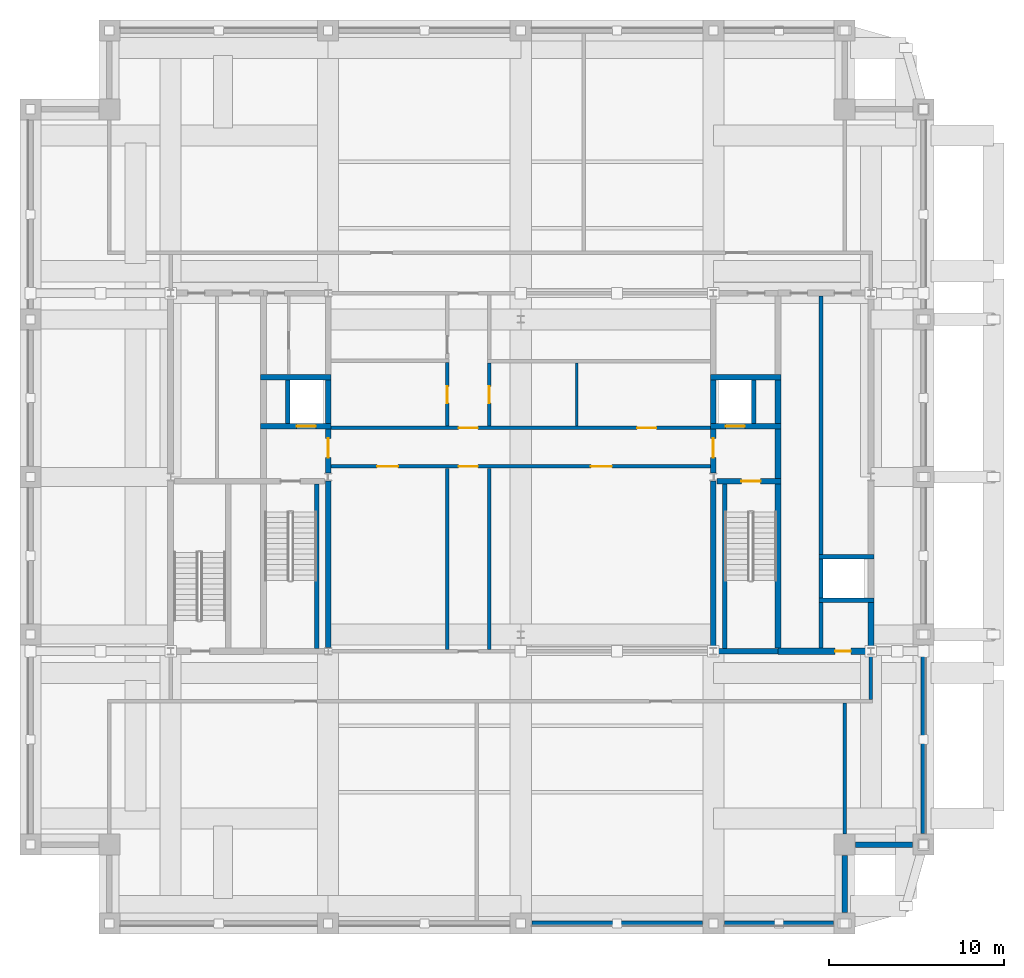
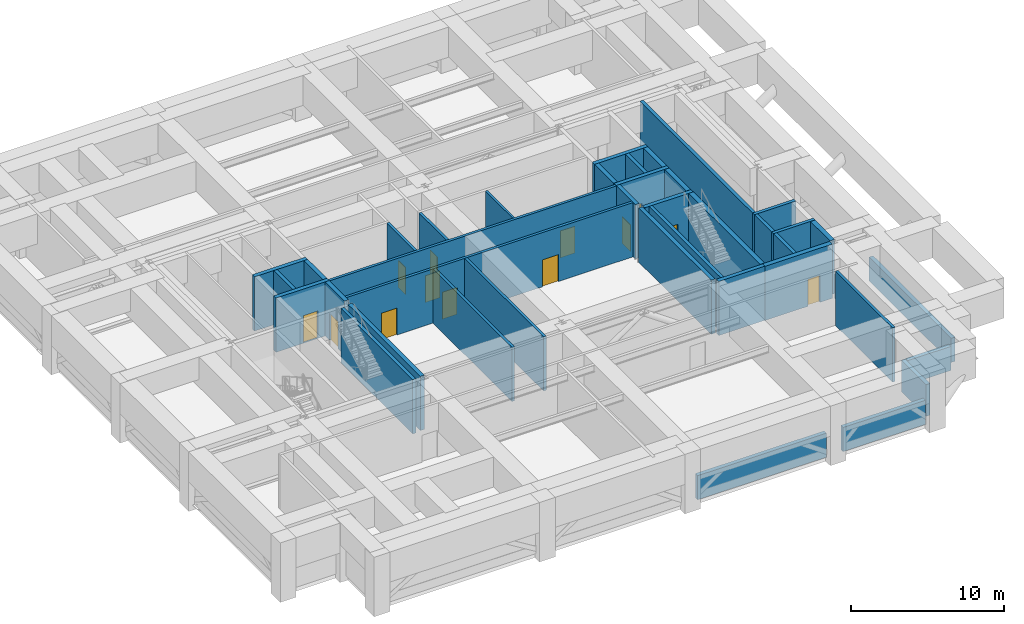
# One storey, part 4 of 10: 40 walls, 13 doors, 13 openings.
"""IFC4 building model written with IfcOpenShell, lengths in metres."""

from ifc_helpers import new_model, si_unit, direction, frame, frame_2d, origin, place, context, subcontext, project, spatial, rectangle, extrude, material, layer, layer_set, type_object, element, fill, save


model = new_model("IFC4")

# Units and contexts
model_context = context("Model", 3, precision=1e-05, world=origin(), true_north=direction((0.0, 1.0)))
body_context = subcontext(model_context, "Body", "Model", "MODEL_VIEW")
ifc_project = project(units=[si_unit("LENGTHUNIT", "METRE"), si_unit("AREAUNIT", "SQUARE_METRE"), si_unit("VOLUMEUNIT", "CUBIC_METRE"), si_unit("PLANEANGLEUNIT", "RADIAN"), si_unit("MASSUNIT", "GRAM", prefix="KILO")], contexts=[model_context])

# Site, building, storey
site_placement = place(None, origin())
site = spatial("IfcSite", under=ifc_project, at=site_placement, CompositionType="ELEMENT")
building_placement = place(site_placement, origin())
building = spatial("IfcBuilding", under=site, at=building_placement, Name="Zulmaris Gate Convention Tower", CompositionType="ELEMENT")
storey_placement = place(building_placement, frame((0.0, 0.0, 153.47998046875)))
storey = spatial("IfcBuildingStorey", under=building, at=storey_placement, Name="L39", CompositionType="ELEMENT", Elevation=153.47998046875)

# Walls
ifc_material_1 = material(Name="Concrete C50/60", Category="concrete")
ifc_layer_1 = layer(ifc_material_1, 0.25, Name="Concrete C50/60")
ifc_layer_set_1 = layer_set([ifc_layer_1], Name="Concrete C50/60")
wall_type_1 = type_object("IfcWallType", Name="CORE-250", PredefinedType="SOLIDWALL", material=ifc_layer_set_1)
for number, where, z_axis, x_axis, name in (
    (1, (17.02490234375, -7.050048828125, 0.0), (0.0, 0.0, 1.0), (1.0, 0.0, 0.0), "WL-L39-005"),
    (2, (17.02490234375, -4.550048828125, 0.0), (0.0, 0.0, 1.0), (1.0, 0.0, 0.0), "WL-L39-006"),
):
    element("IfcWall", number, at=place(storey_placement, frame(where, z_axis=z_axis, x_axis=x_axis)), inside=storey, type_object=wall_type_1, Name=name, PredefinedType="SOLIDWALL", context=body_context, shape_type="SweptSolid", body=[
        extrude(rectangle(XDim=3.150146484375, YDim=0.25, at=frame_2d((1.5751953125, 0.0))), origin(), (0.0, 0.0, 1.0), 4.334716796875),
    ])
wall_1_placement = place(storey_placement, frame((-13.300048828125, 3.052001953125, 0.0), z_axis=(0.0, 0.0, 1.0), x_axis=(0.0, 1.0, 0.0)))
element("IfcWall", 3, at=wall_1_placement, inside=storey, type_object=wall_type_1, Name="WL-L39-032", PredefinedType="SOLIDWALL", context=body_context, shape_type="SweptSolid", body=[
    extrude(rectangle(XDim=2.49609375, YDim=0.25, at=frame_2d((1.248046875, 0.0))), origin(), (0.0, 0.0, 1.0), 4.334716796875),
])
for number, where, z_axis, x_axis, name in (
    (4, (-11.64990234375, -9.798095703125, 0.0), (0.0, 0.0, 1.0), (0.0, 1.0, 0.0), "WL-L39-033"),
    (5, (11.64990234375, -9.798095703125, 0.0), (0.0, 0.0, 1.0), (0.0, 1.0, 0.0), "WL-L39-042"),
):
    element("IfcWall", number, at=place(storey_placement, frame(where, z_axis=z_axis, x_axis=x_axis)), inside=storey, type_object=wall_type_1, Name=name, PredefinedType="SOLIDWALL", context=body_context, shape_type="SweptSolid", body=[
        extrude(rectangle(XDim=9.39599609375, YDim=0.25, at=frame_2d((4.697998046875, 0.0))), origin(), (0.0, 0.0, 1.0), 4.334716796875),
    ])
wall_2_placement = place(storey_placement, frame((13.300048828125, 3.052001953125, 0.0), z_axis=(0.0, 0.0, 1.0), x_axis=(0.0, 1.0, 0.0)))
element("IfcWall", 6, at=wall_2_placement, inside=storey, type_object=wall_type_1, Name="WL-L39-043", PredefinedType="SOLIDWALL", context=body_context, shape_type="SweptSolid", body=[
    extrude(rectangle(XDim=2.49609375, YDim=0.25, at=frame_2d((1.248046875, 0.0))), origin(), (0.0, 0.0, 1.0), 4.334716796875),
])
wall_3_placement = place(storey_placement, frame((17.14990234375, -9.77294921875, 0.0), z_axis=(0.0, 0.0, 1.0), x_axis=(0.0, 1.0, 0.0)))
element("IfcWall", 7, at=wall_3_placement, inside=storey, type_object=wall_type_1, Name="WL-L39-048", PredefinedType="SOLIDWALL", context=body_context, shape_type="SweptSolid", body=[
    extrude(rectangle(XDim=2.595947265625, YDim=0.25, at=frame_2d((1.2978515625, 0.0))), origin(), (0.0, 0.0, 1.0), 4.334716796875),
])
wall_4_placement = place(storey_placement, frame((17.14990234375, -6.923095703125, 0.0), z_axis=(0.0, 0.0, 1.0), x_axis=(0.0, 1.0, 0.0)))
element("IfcWall", 8, at=wall_4_placement, inside=storey, type_object=wall_type_1, Name="WL-L39-049", PredefinedType="SOLIDWALL", context=body_context, shape_type="SweptSolid", body=[
    extrude(rectangle(XDim=2.24609375, YDim=0.25, at=frame_2d((1.123046875, 0.0))), origin(), (0.0, 0.0, 1.0), 4.334716796875),
])
wall_5_placement = place(storey_placement, frame((17.14990234375, -4.423095703125, 0.0), z_axis=(0.0, 0.0, 1.0), x_axis=(0.0, 1.0, 0.0)))
element("IfcWall", 9, at=wall_5_placement, inside=storey, type_object=wall_type_1, Name="WL-L39-050", PredefinedType="SOLIDWALL", context=body_context, shape_type="SweptSolid", body=[
    extrude(rectangle(XDim=14.74609375, YDim=0.25, at=frame_2d((7.373046875, 0.0))), origin(), (0.0, 0.0, 1.0), 4.334716796875),
])
ifc_layer_2 = layer(ifc_material_1, 0.300048828125, Name="Concrete C50/60")
ifc_layer_set_2 = layer_set([ifc_layer_2], Name="Concrete C50/60")
wall_type_2 = type_object("IfcWallType", Name="CORE-300", PredefinedType="SHEAR", material=ifc_layer_set_2)
wall_6_placement = place(storey_placement, frame((11.2099609375, -9.949951171875, 0.0), z_axis=(0.0, 0.0, 1.0), x_axis=(1.0, 0.0, 0.0)))
element("IfcWall", 10, at=wall_6_placement, inside=storey, type_object=wall_type_2, Name="WL-L39-003", PredefinedType="SHEAR", context=body_context, shape_type="SweptSolid", body=[
    extrude(rectangle(XDim=3.489990234375, YDim=0.300048828125, at=frame_2d((1.7451171875, 0.0))), origin(), (0.0, 0.0, 1.0), 4.334716796875),
])

# Wall, opening, door
wall_7_placement = place(storey_placement, frame((11.2099609375, -0.25, 0.0), z_axis=(0.0, 0.0, 1.0), x_axis=(1.0, 0.0, 0.0)))
wall_7 = element("IfcWall", 11, at=wall_7_placement, inside=storey, type_object=wall_type_2, Name="WL-L39-008", PredefinedType="SHEAR", context=body_context, shape_type="SweptSolid", body=[
    extrude(rectangle(XDim=3.6650390625, YDim=0.300048828125, at=frame_2d((1.83251953125, 0.0))), origin(), (0.0, 0.0, 1.0), 4.334716796875),
])
opening_1_placement = place(wall_7_placement, frame((1.389892578125, 0.0, 0.0)))
opening_1 = element("IfcOpeningElement", 12, at=opening_1_placement, cuts=wall_7, Name="Opening D-08", PredefinedType="OPENING", context=body_context, shape_type="SweptSolid", body=[
    extrude(rectangle(XDim=1.10009765625, YDim=2.14990234375, at=frame_2d((0.550048828125, 1.074951171875))), frame((0.0, 0.16015625, 0.0), z_axis=(0.0, -1.0, 0.0), x_axis=(1.0, 0.0, 0.0)), (0.0, 0.0, 1.0), 0.320068359375),
])
ifc_material_2 = material(Name="Fire-Rated Steel", Category="steel")
door_type_1 = type_object("IfcDoorType", Name="DR-1100-FD", OperationType="NOTDEFINED", PredefinedType="DOOR", material=ifc_material_2)
door_1_placement = place(opening_1_placement, origin())
door_1 = element("IfcDoor", 13, at=door_1_placement, inside=storey, type_object=door_type_1, Name="L39 Exit Stair ST-2 Door 04", OperationType="SINGLE_SWING_LEFT", OverallHeight=2.14990234375, OverallWidth=1.10009765625, PredefinedType="DOOR", context=body_context, shape_type="SweptSolid", body=[
    extrude(rectangle(XDim=1.10009765625, YDim=2.14990234375, at=frame_2d((0.550048828125, 1.074951171875))), frame((0.0, 0.02490234375, 0.0), z_axis=(0.0, -1.0, 0.0), x_axis=(1.0, 0.0, 0.0)), (0.0, 0.0, 1.0), 0.050048828125),
])
fill(opening_1, door_1)

wall_8_placement = place(storey_placement, frame((-14.875, 2.89990234375, 0.0), z_axis=(0.0, 0.0, 1.0), x_axis=(1.0, 0.0, 0.0)))
wall_8 = element("IfcWall", 14, at=wall_8_placement, inside=storey, type_object=wall_type_2, Name="WL-L39-009", PredefinedType="SHEAR", context=body_context, shape_type="SweptSolid", body=[
    extrude(rectangle(XDim=4.02490234375, YDim=0.300048828125, at=frame_2d((2.012451171875, 0.0))), origin(), (0.0, 0.0, 1.0), 4.334716796875),
])
opening_2_placement = place(wall_8_placement, frame((2.074951171875, 0.0, 0.0)))
opening_2 = element("IfcOpeningElement", 15, at=opening_2_placement, cuts=wall_8, Name="Opening D-06", PredefinedType="OPENING", context=body_context, shape_type="SweptSolid", body=[
    extrude(rectangle(XDim=1.10009765625, YDim=2.199951171875, at=frame_2d((0.550048828125, 1.10009765625))), frame((0.0, 0.16015625, 0.0), z_axis=(0.0, -1.0, 0.0), x_axis=(1.0, 0.0, 0.0)), (0.0, 0.0, 1.0), 0.320068359375),
])
ifc_material_3 = material(Name="Brushed Stainless Steel", Category="steel")
door_type_2 = type_object("IfcDoorType", Name="LD-1100", OperationType="NOTDEFINED", PredefinedType="DOOR", material=ifc_material_3)
door_2_placement = place(opening_2_placement, origin())
door_2 = element("IfcDoor", 16, at=door_2_placement, inside=storey, type_object=door_type_2, Name="L39 Lift Landing Door LF-01 03", OperationType="SLIDING_TO_LEFT", OverallHeight=2.199951171875, OverallWidth=1.10009765625, PredefinedType="DOOR", context=body_context, shape_type="SweptSolid", body=[
    extrude(rectangle(XDim=1.10009765625, YDim=2.199951171875, at=frame_2d((0.550048828125, 1.10009765625))), frame((0.0, 0.02490234375, 0.0), z_axis=(0.0, -1.0, 0.0), x_axis=(1.0, 0.0, 0.0)), (0.0, 0.0, 1.0), 0.050048828125),
])
fill(opening_2, door_2)

wall_9_placement = place(storey_placement, frame((10.85009765625, 2.89990234375, 0.0), z_axis=(0.0, 0.0, 1.0), x_axis=(1.0, 0.0, 0.0)))
wall_9 = element("IfcWall", 17, at=wall_9_placement, inside=storey, type_object=wall_type_2, Name="WL-L39-010", PredefinedType="SHEAR", context=body_context, shape_type="SweptSolid", body=[
    extrude(rectangle(XDim=4.02490234375, YDim=0.300048828125, at=frame_2d((2.012451171875, 0.0))), origin(), (0.0, 0.0, 1.0), 4.334716796875),
])
opening_3_placement = place(wall_9_placement, frame((0.85009765625, 0.0, 0.0)))
opening_3 = element("IfcOpeningElement", 18, at=opening_3_placement, cuts=wall_9, Name="Opening D-06", PredefinedType="OPENING", context=body_context, shape_type="SweptSolid", body=[
    extrude(rectangle(XDim=1.10009765625, YDim=2.199951171875, at=frame_2d((0.550048828125, 1.10009765625))), frame((0.0, 0.16015625, 0.0), z_axis=(0.0, -1.0, 0.0), x_axis=(1.0, 0.0, 0.0)), (0.0, 0.0, 1.0), 0.320068359375),
])
door_3_placement = place(opening_3_placement, origin())
door_3 = element("IfcDoor", 19, at=door_3_placement, inside=storey, type_object=door_type_2, Name="L39 Lift Landing Door LF-02 06", OperationType="SLIDING_TO_RIGHT", OverallHeight=2.199951171875, OverallWidth=1.10009765625, PredefinedType="DOOR", context=body_context, shape_type="SweptSolid", body=[
    extrude(rectangle(XDim=1.10009765625, YDim=2.199951171875, at=frame_2d((0.550048828125, 1.10009765625))), frame((0.0, 0.02490234375, 0.0), z_axis=(0.0, -1.0, 0.0), x_axis=(1.0, 0.0, 0.0)), (0.0, 0.0, 1.0), 0.050048828125),
])
fill(opening_3, door_3)

# Walls
for number, where, z_axis, x_axis, name in (
    (20, (-14.875, 5.699951171875, 0.0), (0.0, 0.0, 1.0), (1.0, 0.0, 0.0), "WL-L39-011"),
    (21, (10.85009765625, 5.699951171875, 0.0), (0.0, 0.0, 1.0), (1.0, 0.0, 0.0), "WL-L39-012"),
):
    element("IfcWall", number, at=place(storey_placement, frame(where, z_axis=z_axis, x_axis=x_axis)), inside=storey, type_object=wall_type_2, Name=name, PredefinedType="SHEAR", context=body_context, shape_type="SweptSolid", body=[
        extrude(rectangle(XDim=4.02490234375, YDim=0.300048828125, at=frame_2d((2.012451171875, 0.0))), origin(), (0.0, 0.0, 1.0), 4.334716796875),
    ])
wall_10_placement = place(storey_placement, frame((-11.0, -9.728515625, 0.0), z_axis=(0.0, 0.0, 1.0), x_axis=(0.0, 1.0, 0.0)))
element("IfcWall", 22, at=wall_10_placement, inside=storey, type_object=wall_type_2, Name="WL-L39-034", PredefinedType="SHEAR", context=body_context, shape_type="SweptSolid", body=[
    extrude(rectangle(XDim=9.507080078125, YDim=0.300048828125, at=frame_2d((4.75341796875, 0.0))), origin(), (0.0, 0.0, 1.0), 4.334716796875),
])

# Wall, opening, door
wall_11_placement = place(storey_placement, frame((-11.0, 0.221435546875, 0.0), z_axis=(0.0, 0.0, 1.0), x_axis=(0.0, 1.0, 0.0)))
wall_11 = element("IfcWall", 23, at=wall_11_placement, inside=storey, type_object=wall_type_2, Name="WL-L39-035", PredefinedType="SHEAR", context=body_context, shape_type="SweptSolid", body=[
    extrude(rectangle(XDim=2.526611328125, YDim=0.300048828125, at=frame_2d((1.26318359375, 0.0))), origin(), (0.0, 0.0, 1.0), 4.334716796875),
])
opening_4_placement = place(wall_11_placement, frame((0.87841796875, 0.0, 0.0)))
opening_4 = element("IfcOpeningElement", 24, at=opening_4_placement, cuts=wall_11, Name="Opening D-08", PredefinedType="OPENING", context=body_context, shape_type="SweptSolid", body=[
    extrude(rectangle(XDim=1.10009765625, YDim=2.14990234375, at=frame_2d((0.550048828125, 1.074951171875))), frame((0.0, 0.16015625, 0.0), z_axis=(0.0, -1.0, 0.0), x_axis=(1.0, 0.0, 0.0)), (0.0, 0.0, 1.0), 0.320068359375),
])
door_4_placement = place(opening_4_placement, origin())
door_4 = element("IfcDoor", 25, at=door_4_placement, inside=storey, type_object=door_type_1, Name="L39 West Firefighting Lobby Door 02", OperationType="SINGLE_SWING_RIGHT", OverallHeight=2.14990234375, OverallWidth=1.10009765625, PredefinedType="DOOR", context=body_context, shape_type="SweptSolid", body=[
    extrude(rectangle(XDim=1.10009765625, YDim=2.14990234375, at=frame_2d((0.550048828125, 1.074951171875))), frame((0.0, 0.02490234375, 0.0), z_axis=(0.0, -1.0, 0.0), x_axis=(1.0, 0.0, 0.0)), (0.0, 0.0, 1.0), 0.050048828125),
])
fill(opening_4, door_4)

# Walls
wall_12_placement = place(storey_placement, frame((-11.0, 3.052001953125, 0.0), z_axis=(0.0, 0.0, 1.0), x_axis=(0.0, 1.0, 0.0)))
element("IfcWall", 26, at=wall_12_placement, inside=storey, type_object=wall_type_2, Name="WL-L39-036", PredefinedType="SHEAR", context=body_context, shape_type="SweptSolid", body=[
    extrude(rectangle(XDim=2.49609375, YDim=0.300048828125, at=frame_2d((1.248046875, 0.0))), origin(), (0.0, 0.0, 1.0), 4.334716796875),
])
wall_13_placement = place(storey_placement, frame((11.0, -9.728515625, 0.0), z_axis=(0.0, 0.0, 1.0), x_axis=(0.0, 1.0, 0.0)))
element("IfcWall", 27, at=wall_13_placement, inside=storey, type_object=wall_type_2, Name="WL-L39-038", PredefinedType="SHEAR", context=body_context, shape_type="SweptSolid", body=[
    extrude(rectangle(XDim=9.507080078125, YDim=0.300048828125, at=frame_2d((4.75341796875, 0.0))), origin(), (0.0, 0.0, 1.0), 4.334716796875),
])

# Wall, opening, door
wall_14_placement = place(storey_placement, frame((11.0, 0.221435546875, 0.0), z_axis=(0.0, 0.0, 1.0), x_axis=(0.0, 1.0, 0.0)))
wall_14 = element("IfcWall", 28, at=wall_14_placement, inside=storey, type_object=wall_type_2, Name="WL-L39-039", PredefinedType="SHEAR", context=body_context, shape_type="SweptSolid", body=[
    extrude(rectangle(XDim=2.526611328125, YDim=0.300048828125, at=frame_2d((1.26318359375, 0.0))), origin(), (0.0, 0.0, 1.0), 4.334716796875),
])
opening_5_placement = place(wall_14_placement, frame((0.87841796875, 0.0, 0.0)))
opening_5 = element("IfcOpeningElement", 29, at=opening_5_placement, cuts=wall_14, Name="Opening D-08", PredefinedType="OPENING", context=body_context, shape_type="SweptSolid", body=[
    extrude(rectangle(XDim=1.10009765625, YDim=2.14990234375, at=frame_2d((0.550048828125, 1.074951171875))), frame((0.0, 0.16015625, 0.0), z_axis=(0.0, -1.0, 0.0), x_axis=(1.0, 0.0, 0.0)), (0.0, 0.0, 1.0), 0.320068359375),
])
door_5_placement = place(opening_5_placement, origin())
door_5 = element("IfcDoor", 30, at=door_5_placement, inside=storey, type_object=door_type_1, Name="L39 East Firefighting Lobby Door 05", OperationType="SINGLE_SWING_RIGHT", OverallHeight=2.14990234375, OverallWidth=1.10009765625, PredefinedType="DOOR", context=body_context, shape_type="SweptSolid", body=[
    extrude(rectangle(XDim=1.10009765625, YDim=2.14990234375, at=frame_2d((0.550048828125, 1.074951171875))), frame((0.0, 0.02490234375, 0.0), z_axis=(0.0, -1.0, 0.0), x_axis=(1.0, 0.0, 0.0)), (0.0, 0.0, 1.0), 0.050048828125),
])
fill(opening_5, door_5)

# Wall
wall_15_placement = place(storey_placement, frame((11.0, 3.052001953125, 0.0), z_axis=(0.0, 0.0, 1.0), x_axis=(0.0, 1.0, 0.0)))
element("IfcWall", 31, at=wall_15_placement, inside=storey, type_object=wall_type_2, Name="WL-L39-040", PredefinedType="SHEAR", context=body_context, shape_type="SweptSolid", body=[
    extrude(rectangle(XDim=2.49609375, YDim=0.300048828125, at=frame_2d((1.248046875, 0.0))), origin(), (0.0, 0.0, 1.0), 4.334716796875),
])

# Wall, opening, door
ifc_material_4 = material(Name="Concrete C55/67", Category="concrete")
ifc_layer_3 = layer(ifc_material_4, 0.35009765625, Name="Concrete C55/67")
ifc_layer_set_3 = layer_set([ifc_layer_3], Name="Concrete C55/67")
wall_type_3 = type_object("IfcWallType", Name="CORE-350", PredefinedType="SHEAR", material=ifc_layer_set_3)
wall_16_placement = place(storey_placement, frame((14.699951171875, -9.949951171875, 0.0), z_axis=(0.0, 0.0, 1.0), x_axis=(1.0, 0.0, 0.0)))
wall_16 = element("IfcWall", 32, at=wall_16_placement, inside=storey, type_object=wall_type_3, Name="WL-L39-004", PredefinedType="SHEAR", context=body_context, shape_type="SweptSolid", body=[
    extrude(rectangle(XDim=5.090087890625, YDim=0.35009765625, at=frame_2d((2.544921875, 0.0))), origin(), (0.0, 0.0, 1.0), 4.334716796875),
])
opening_6_placement = place(wall_16_placement, frame((3.25, 0.0, 0.0)))
opening_6 = element("IfcOpeningElement", 33, at=opening_6_placement, cuts=wall_16, Name="Opening D-12", PredefinedType="OPENING", context=body_context, shape_type="SweptSolid", body=[
    extrude(rectangle(XDim=0.89990234375, YDim=2.14990234375, at=frame_2d((0.449951171875, 1.074951171875))), frame((0.0, 0.18505859375, 0.0), z_axis=(0.0, -1.0, 0.0), x_axis=(1.0, 0.0, 0.0)), (0.0, 0.0, 1.0), 0.3701171875),
])
ifc_material_5 = material(Name="Fire-Rated Timber", Category="wood")
door_type_3 = type_object("IfcDoorType", Name="DR-900-FD", OperationType="NOTDEFINED", PredefinedType="DOOR", material=ifc_material_5)
door_6_placement = place(opening_6_placement, origin())
door_6 = element("IfcDoor", 34, at=door_6_placement, inside=storey, type_object=door_type_3, Name="L39 East Booster Door 15", OperationType="SINGLE_SWING_LEFT", OverallHeight=2.14990234375, OverallWidth=0.89990234375, PredefinedType="DOOR", context=body_context, shape_type="SweptSolid", body=[
    extrude(rectangle(XDim=0.89990234375, YDim=2.14990234375, at=frame_2d((0.449951171875, 1.074951171875))), frame((0.0, 0.02490234375, 0.0), z_axis=(0.0, -1.0, 0.0), x_axis=(1.0, 0.0, 0.0)), (0.0, 0.0, 1.0), 0.050048828125),
])
fill(opening_6, door_6)

# Walls
wall_17_placement = place(storey_placement, frame((14.699951171875, -9.77294921875, 0.0), z_axis=(0.0, 0.0, 1.0), x_axis=(0.0, 1.0, 0.0)))
element("IfcWall", 35, at=wall_17_placement, inside=storey, type_object=wall_type_3, Name="WL-L39-044", PredefinedType="SHEAR", context=body_context, shape_type="SweptSolid", body=[
    extrude(rectangle(XDim=9.370849609375, YDim=0.35009765625, at=frame_2d((4.685546875, 0.0))), origin(), (0.0, 0.0, 1.0), 4.334716796875),
])
wall_18_placement = place(storey_placement, frame((14.699951171875, -0.097900390625, 0.0), z_axis=(0.0, 0.0, 1.0), x_axis=(0.0, 1.0, 0.0)))
element("IfcWall", 36, at=wall_18_placement, inside=storey, type_object=wall_type_3, Name="WL-L39-045", PredefinedType="SHEAR", context=body_context, shape_type="SweptSolid", body=[
    extrude(rectangle(XDim=2.845947265625, YDim=0.35009765625, at=frame_2d((1.4228515625, 0.0))), origin(), (0.0, 0.0, 1.0), 4.334716796875),
])
wall_19_placement = place(storey_placement, frame((14.699951171875, 3.052001953125, 0.0), z_axis=(0.0, 0.0, 1.0), x_axis=(0.0, 1.0, 0.0)))
element("IfcWall", 37, at=wall_19_placement, inside=storey, type_object=wall_type_3, Name="WL-L39-046", PredefinedType="SHEAR", context=body_context, shape_type="SweptSolid", body=[
    extrude(rectangle(XDim=2.49609375, YDim=0.35009765625, at=frame_2d((1.248046875, 0.0))), origin(), (0.0, 0.0, 1.0), 4.334716796875),
])
wall_20_placement = place(storey_placement, frame((20.0, -9.728515625, 0.0), z_axis=(0.0, 0.0, 1.0), x_axis=(0.0, 1.0, 0.0)))
element("IfcWall", 38, at=wall_20_placement, inside=storey, type_object=wall_type_3, Name="WL-L39-051", PredefinedType="SHEAR", context=body_context, shape_type="SweptSolid", body=[
    extrude(rectangle(XDim=2.551513671875, YDim=0.35009765625, at=frame_2d((1.27587890625, 0.0))), origin(), (0.0, 0.0, 1.0), 4.334716796875),
])
ifc_material_6 = material(Name="Gypsum Metal Stud Partition")
ifc_layer_4 = layer(ifc_material_6, 0.14990234375, Name="Gypsum Metal Stud Partition")
ifc_layer_set_4 = layer_set([ifc_layer_4], Name="Gypsum Metal Stud Partition")
wall_type_4 = type_object("IfcWallType", Name="PART-150", PredefinedType="PARTITIONING", material=ifc_layer_set_4)
wall_21_placement = place(storey_placement, frame((3.199951171875, 2.903076171875, 0.0), z_axis=(0.0, 0.0, 1.0), x_axis=(0.0, 1.0, 0.0)))
element("IfcWall", 39, at=wall_21_placement, inside=storey, type_object=wall_type_4, Name="WL-L39-067", PredefinedType="PARTITIONING", context=body_context, shape_type="SweptSolid", body=[
    extrude(rectangle(XDim=3.593994140625, YDim=0.14990234375, at=frame_2d((1.796875, 0.0))), origin(), (0.0, 0.0, 1.0), 4.334716796875),
])

# Wall, openings, doors
ifc_material_7 = material(Name="Autoclaved Aerated Concrete Block and Plasterboard", Category="concrete")
ifc_layer_5 = layer(ifc_material_7, 0.199951171875, Name="Autoclaved Aerated Concrete Block and Plasterboard")
ifc_layer_set_5 = layer_set([ifc_layer_5], Name="Autoclaved Aerated Concrete Block and Plasterboard")
wall_type_5 = type_object("IfcWallType", Name="PART-200", PredefinedType="PARTITIONING", material=ifc_layer_set_5)
wall_22_placement = place(storey_placement, frame((-10.846923828125, 0.60009765625, 0.0), z_axis=(0.0, 0.0, 1.0), x_axis=(1.0, 0.0, 0.0)))
wall_22 = element("IfcWall", 40, at=wall_22_placement, inside=storey, type_object=wall_type_5, Name="WL-L39-019", PredefinedType="PARTITIONING", context=body_context, shape_type="SweptSolid", body=[
    extrude(rectangle(XDim=21.69384765625, YDim=0.199951171875, at=frame_2d((10.846923828125, 0.0))), origin(), (0.0, 0.0, 1.0), 4.334716796875),
])
opening_7_placement = place(wall_22_placement, frame((7.297119140625, 0.0, 0.0)))
opening_7 = element("IfcOpeningElement", 41, at=opening_7_placement, cuts=wall_22, Name="Opening D-08", PredefinedType="OPENING", context=body_context, shape_type="SweptSolid", body=[
    extrude(rectangle(XDim=1.10009765625, YDim=2.14990234375, at=frame_2d((0.550048828125, 1.074951171875))), frame((0.0, 0.10986328125, 0.0), z_axis=(0.0, -1.0, 0.0), x_axis=(1.0, 0.0, 0.0)), (0.0, 0.0, 1.0), 0.219970703125),
])
opening_8_placement = place(wall_22_placement, frame((2.64697265625, 0.0, 0.0)))
opening_8 = element("IfcOpeningElement", 42, at=opening_8_placement, cuts=wall_22, Name="Opening D-13", PredefinedType="OPENING", context=body_context, shape_type="SweptSolid", body=[
    extrude(rectangle(XDim=1.199951171875, YDim=2.14990234375, at=frame_2d((0.60009765625, 1.074951171875))), frame((0.0, 0.10986328125, 0.0), z_axis=(0.0, -1.0, 0.0), x_axis=(1.0, 0.0, 0.0)), (0.0, 0.0, 1.0), 0.219970703125),
])
opening_9_placement = place(wall_22_placement, frame((14.846923828125, 0.0, 0.0)))
opening_9 = element("IfcOpeningElement", 43, at=opening_9_placement, cuts=wall_22, Name="Opening D-13", PredefinedType="OPENING", context=body_context, shape_type="SweptSolid", body=[
    extrude(rectangle(XDim=1.199951171875, YDim=2.14990234375, at=frame_2d((0.60009765625, 1.074951171875))), frame((0.0, 0.10986328125, 0.0), z_axis=(0.0, -1.0, 0.0), x_axis=(1.0, 0.0, 0.0)), (0.0, 0.0, 1.0), 0.219970703125),
])
door_7_placement = place(opening_7_placement, origin())
door_7 = element("IfcDoor", 44, at=door_7_placement, inside=storey, type_object=door_type_1, Name="L39 South Plant Link Door 18", OperationType="SINGLE_SWING_RIGHT", OverallHeight=2.14990234375, OverallWidth=1.10009765625, PredefinedType="DOOR", context=body_context, shape_type="SweptSolid", body=[
    extrude(rectangle(XDim=1.10009765625, YDim=2.14990234375, at=frame_2d((0.550048828125, 1.074951171875))), frame((0.0, 0.02490234375, 0.0), z_axis=(0.0, -1.0, 0.0), x_axis=(1.0, 0.0, 0.0)), (0.0, 0.0, 1.0), 0.050048828125),
])
fill(opening_7, door_7)
door_type_4 = type_object("IfcDoorType", Name="DR-1200-FD", OperationType="NOTDEFINED", PredefinedType="DOOR", material=ifc_material_2)
door_8_placement = place(opening_8_placement, origin())
door_8 = element("IfcDoor", 45, at=door_8_placement, inside=storey, type_object=door_type_4, Name="L39 West Refuge Area Door 20", OperationType="SINGLE_SWING_RIGHT", OverallHeight=2.14990234375, OverallWidth=1.199951171875, PredefinedType="DOOR", context=body_context, shape_type="SweptSolid", body=[
    extrude(rectangle(XDim=1.199951171875, YDim=2.14990234375, at=frame_2d((0.60009765625, 1.074951171875))), frame((0.0, 0.02490234375, 0.0), z_axis=(0.0, -1.0, 0.0), x_axis=(1.0, 0.0, 0.0)), (0.0, 0.0, 1.0), 0.050048828125),
])
fill(opening_8, door_8)
door_9_placement = place(opening_9_placement, origin())
door_9 = element("IfcDoor", 46, at=door_9_placement, inside=storey, type_object=door_type_4, Name="L39 East Refuge Area Door 21", OperationType="SINGLE_SWING_LEFT", OverallHeight=2.14990234375, OverallWidth=1.199951171875, PredefinedType="DOOR", context=body_context, shape_type="SweptSolid", body=[
    extrude(rectangle(XDim=1.199951171875, YDim=2.14990234375, at=frame_2d((0.60009765625, 1.074951171875))), frame((0.0, 0.02490234375, 0.0), z_axis=(0.0, -1.0, 0.0), x_axis=(1.0, 0.0, 0.0)), (0.0, 0.0, 1.0), 0.050048828125),
])
fill(opening_9, door_9)

wall_23_placement = place(storey_placement, frame((-10.846923828125, 2.800048828125, 0.0), z_axis=(0.0, 0.0, 1.0), x_axis=(1.0, 0.0, 0.0)))
wall_23 = element("IfcWall", 47, at=wall_23_placement, inside=storey, type_object=wall_type_5, Name="WL-L39-020", PredefinedType="PARTITIONING", context=body_context, shape_type="SweptSolid", body=[
    extrude(rectangle(XDim=21.69384765625, YDim=0.199951171875, at=frame_2d((10.846923828125, 0.0))), origin(), (0.0, 0.0, 1.0), 4.334716796875),
])
opening_10_placement = place(wall_23_placement, frame((7.297119140625, 0.0, 0.0)))
opening_10 = element("IfcOpeningElement", 48, at=opening_10_placement, cuts=wall_23, Name="Opening D-08", PredefinedType="OPENING", context=body_context, shape_type="SweptSolid", body=[
    extrude(rectangle(XDim=1.10009765625, YDim=2.14990234375, at=frame_2d((0.550048828125, 1.074951171875))), frame((0.0, 0.10986328125, 0.0), z_axis=(0.0, -1.0, 0.0), x_axis=(1.0, 0.0, 0.0)), (0.0, 0.0, 1.0), 0.219970703125),
])
opening_11_placement = place(wall_23_placement, frame((17.4970703125, 0.0, 0.0)))
opening_11 = element("IfcOpeningElement", 49, at=opening_11_placement, cuts=wall_23, Name="Opening D-08", PredefinedType="OPENING", context=body_context, shape_type="SweptSolid", body=[
    extrude(rectangle(XDim=1.10009765625, YDim=2.14990234375, at=frame_2d((0.550048828125, 1.074951171875))), frame((0.0, 0.10986328125, 0.0), z_axis=(0.0, -1.0, 0.0), x_axis=(1.0, 0.0, 0.0)), (0.0, 0.0, 1.0), 0.219970703125),
])
door_10_placement = place(opening_10_placement, origin())
door_10 = element("IfcDoor", 50, at=door_10_placement, inside=storey, type_object=door_type_1, Name="L39 North Plant Link Door 16", OperationType="SINGLE_SWING_RIGHT", OverallHeight=2.14990234375, OverallWidth=1.10009765625, PredefinedType="DOOR", context=body_context, shape_type="SweptSolid", body=[
    extrude(rectangle(XDim=1.10009765625, YDim=2.14990234375, at=frame_2d((0.550048828125, 1.074951171875))), frame((0.0, 0.02490234375, 0.0), z_axis=(0.0, -1.0, 0.0), x_axis=(1.0, 0.0, 0.0)), (0.0, 0.0, 1.0), 0.050048828125),
])
fill(opening_10, door_10)
door_11_placement = place(opening_11_placement, origin())
door_11 = element("IfcDoor", 51, at=door_11_placement, inside=storey, type_object=door_type_1, Name="L39 HV Switchroom Door 29", OperationType="SINGLE_SWING_LEFT", OverallHeight=2.14990234375, OverallWidth=1.10009765625, PredefinedType="DOOR", context=body_context, shape_type="SweptSolid", body=[
    extrude(rectangle(XDim=1.10009765625, YDim=2.14990234375, at=frame_2d((0.550048828125, 1.074951171875))), frame((0.0, 0.02490234375, 0.0), z_axis=(0.0, -1.0, 0.0), x_axis=(1.0, 0.0, 0.0)), (0.0, 0.0, 1.0), 0.050048828125),
])
fill(opening_11, door_11)

# Wall
wall_24_placement = place(storey_placement, frame((-4.199951171875, -9.846923828125, 0.0), z_axis=(0.0, 0.0, 1.0), x_axis=(0.0, 1.0, 0.0)))
element("IfcWall", 52, at=wall_24_placement, inside=storey, type_object=wall_type_5, Name="WL-L39-060", PredefinedType="PARTITIONING", context=body_context, shape_type="SweptSolid", body=[
    extrude(rectangle(XDim=10.343994140625, YDim=0.199951171875, at=frame_2d((5.171875, 0.0))), origin(), (0.0, 0.0, 1.0), 4.334716796875),
])

# Wall, opening, door
wall_25_placement = place(storey_placement, frame((-4.199951171875, 2.903076171875, 0.0), z_axis=(0.0, 0.0, 1.0), x_axis=(0.0, 1.0, 0.0)))
wall_25 = element("IfcWall", 53, at=wall_25_placement, inside=storey, type_object=wall_type_5, Name="WL-L39-061", PredefinedType="PARTITIONING", context=body_context, shape_type="SweptSolid", body=[
    extrude(rectangle(XDim=3.64404296875, YDim=0.199951171875, at=frame_2d((1.822021484375, 0.0))), origin(), (0.0, 0.0, 1.0), 4.334716796875),
])
opening_12_placement = place(wall_25_placement, frame((1.322021484375, 0.0, 0.0)))
opening_12 = element("IfcOpeningElement", 54, at=opening_12_placement, cuts=wall_25, Name="Opening D-11", PredefinedType="OPENING", context=body_context, shape_type="SweptSolid", body=[
    extrude(rectangle(XDim=0.949951171875, YDim=2.14990234375, at=frame_2d((0.47509765625, 1.074951171875))), frame((0.0, 0.10986328125, 0.0), z_axis=(0.0, -1.0, 0.0), x_axis=(1.0, 0.0, 0.0)), (0.0, 0.0, 1.0), 0.219970703125),
])
door_type_5 = type_object("IfcDoorType", Name="DR-950-FD", OperationType="NOTDEFINED", PredefinedType="DOOR", material=ifc_material_5)
door_12_placement = place(opening_12_placement, origin())
door_12 = element("IfcDoor", 55, at=door_12_placement, inside=storey, type_object=door_type_5, Name="L39 BMS Plant Door 26", OperationType="SINGLE_SWING_RIGHT", OverallHeight=2.14990234375, OverallWidth=0.949951171875, PredefinedType="DOOR", context=body_context, shape_type="SweptSolid", body=[
    extrude(rectangle(XDim=0.949951171875, YDim=2.14990234375, at=frame_2d((0.47509765625, 1.074951171875))), frame((0.0, 0.02490234375, 0.0), z_axis=(0.0, -1.0, 0.0), x_axis=(1.0, 0.0, 0.0)), (0.0, 0.0, 1.0), 0.050048828125),
])
fill(opening_12, door_12)

# Wall
wall_26_placement = place(storey_placement, frame((-1.800048828125, -9.846923828125, 0.0), z_axis=(0.0, 0.0, 1.0), x_axis=(0.0, 1.0, 0.0)))
element("IfcWall", 56, at=wall_26_placement, inside=storey, type_object=wall_type_5, Name="WL-L39-064", PredefinedType="PARTITIONING", context=body_context, shape_type="SweptSolid", body=[
    extrude(rectangle(XDim=10.343994140625, YDim=0.199951171875, at=frame_2d((5.171875, 0.0))), origin(), (0.0, 0.0, 1.0), 4.334716796875),
])

# Wall, opening, door
wall_27_placement = place(storey_placement, frame((-1.800048828125, 2.903076171875, 0.0), z_axis=(0.0, 0.0, 1.0), x_axis=(0.0, 1.0, 0.0)))
wall_27 = element("IfcWall", 57, at=wall_27_placement, inside=storey, type_object=wall_type_5, Name="WL-L39-065", PredefinedType="PARTITIONING", context=body_context, shape_type="SweptSolid", body=[
    extrude(rectangle(XDim=3.593994140625, YDim=0.199951171875, at=frame_2d((1.796875, 0.0))), origin(), (0.0, 0.0, 1.0), 4.334716796875),
])
opening_13_placement = place(wall_27_placement, frame((1.322021484375, 0.0, 0.0)))
opening_13 = element("IfcOpeningElement", 58, at=opening_13_placement, cuts=wall_27, Name="Opening D-11", PredefinedType="OPENING", context=body_context, shape_type="SweptSolid", body=[
    extrude(rectangle(XDim=0.949951171875, YDim=2.14990234375, at=frame_2d((0.47509765625, 1.074951171875))), frame((0.0, 0.10986328125, 0.0), z_axis=(0.0, -1.0, 0.0), x_axis=(1.0, 0.0, 0.0)), (0.0, 0.0, 1.0), 0.219970703125),
])
door_13_placement = place(opening_13_placement, origin())
door_13 = element("IfcDoor", 59, at=door_13_placement, inside=storey, type_object=door_type_5, Name="L39 Refuge Accessible WC Door 28", OperationType="SINGLE_SWING_RIGHT", OverallHeight=2.14990234375, OverallWidth=0.949951171875, PredefinedType="DOOR", context=body_context, shape_type="SweptSolid", body=[
    extrude(rectangle(XDim=0.949951171875, YDim=2.14990234375, at=frame_2d((0.47509765625, 1.074951171875))), frame((0.0, 0.02490234375, 0.0), z_axis=(0.0, -1.0, 0.0), x_axis=(1.0, 0.0, 0.0)), (0.0, 0.0, 1.0), 0.050048828125),
])
fill(opening_13, door_13)

# Walls
wall_28_placement = place(storey_placement, frame((18.5, -20.39404296875, 0.0), z_axis=(0.0, 0.0, 1.0), x_axis=(0.0, 1.0, 0.0)))
element("IfcWall", 60, at=wall_28_placement, inside=storey, type_object=wall_type_5, Name="WL-L39-069", PredefinedType="PARTITIONING", context=body_context, shape_type="SweptSolid", body=[
    extrude(rectangle(XDim=7.490966796875, YDim=0.199951171875, at=frame_2d((3.74560546875, 0.0))), origin(), (0.0, 0.0, 1.0), 4.334716796875),
])
wall_29_placement = place(storey_placement, frame((20.0, -12.697021484375, 0.0), z_axis=(0.0, 0.0, 1.0), x_axis=(0.0, 1.0, 0.0)))
element("IfcWall", 61, at=wall_29_placement, inside=storey, type_object=wall_type_5, Name="WL-L39-071", PredefinedType="PARTITIONING", context=body_context, shape_type="SweptSolid", body=[
    extrude(rectangle(XDim=2.5234375, YDim=0.199951171875, at=frame_2d((1.26171875, 0.0))), origin(), (0.0, 0.0, 1.0), 1.9267578125),
])
ifc_material_8 = material(Name="Precast concrete C40/50", Category="concrete")
ifc_layer_6 = layer(ifc_material_8, 0.300048828125, Name="Precast concrete C40/50")
ifc_layer_set_6 = layer_set([ifc_layer_6], Name="Precast concrete C40/50")
wall_type_6 = type_object("IfcWallType", Name="PRECAST-PIER-300", PredefinedType="STANDARD", material=ifc_layer_set_6)
wall_30_placement = place(storey_placement, frame((18.5, -24.8701171875, 0.0), z_axis=(0.0, 0.0, 1.0), x_axis=(0.0, 1.0, 0.0)))
element("IfcWall", 62, at=wall_30_placement, inside=storey, type_object=wall_type_6, Name="EW-L39-NOTCH-SE1_0", PredefinedType="STANDARD", context=body_context, shape_type="SweptSolid", body=[
    extrude(rectangle(XDim=3.240234375, YDim=0.300048828125, at=frame_2d((1.6201171875, 0.0))), origin(), (0.0, 0.0, 1.0), 2.526611328125),
])
wall_31_placement = place(storey_placement, frame((19.1298828125, -21.0, 0.0), z_axis=(0.0, 0.0, 1.0), x_axis=(1.0, 0.0, 0.0)))
element("IfcWall", 63, at=wall_31_placement, inside=storey, type_object=wall_type_6, Name="EW-L39-NOTCH-SE2_0", PredefinedType="STANDARD", context=body_context, shape_type="SweptSolid", body=[
    extrude(rectangle(XDim=3.240234375, YDim=0.300048828125, at=frame_2d((1.6201171875, 0.0))), origin(), (0.0, 0.0, 1.0), 1.9267578125),
])
wall_32_placement = place(storey_placement, frame((0.6298828125, -25.5, 0.0), z_axis=(0.0, 0.0, 1.0), x_axis=(1.0, 0.0, 0.0)))
element("IfcWall", 64, at=wall_32_placement, inside=storey, type_object=wall_type_6, Name="EW-L39-S-2_0", PredefinedType="STANDARD", context=body_context, shape_type="SweptSolid", body=[
    extrude(rectangle(XDim=9.740234375, YDim=0.300048828125, at=frame_2d((4.8701171875, 0.0))), origin(), (0.0, 0.0, 1.0), 1.9267578125),
])
wall_33_placement = place(storey_placement, frame((11.6298828125, -25.5, 0.0), z_axis=(0.0, 0.0, 1.0), x_axis=(1.0, 0.0, 0.0)))
element("IfcWall", 65, at=wall_33_placement, inside=storey, type_object=wall_type_6, Name="EW-L39-S-3_0", PredefinedType="STANDARD", context=body_context, shape_type="SweptSolid", body=[
    extrude(rectangle(XDim=6.240234375, YDim=0.300048828125, at=frame_2d((3.1201171875, 0.0))), origin(), (0.0, 0.0, 1.0), 1.9267578125),
])
wall_34_placement = place(storey_placement, frame((23.0, -20.3701171875, 0.0), z_axis=(0.0, 0.0, 1.0), x_axis=(0.0, 1.0, 0.0)))
element("IfcWall", 66, at=wall_34_placement, inside=storey, type_object=wall_type_6, Name="EW-L39-E-0_0", PredefinedType="STANDARD", context=body_context, shape_type="SweptSolid", body=[
    extrude(rectangle(XDim=10.740234375, YDim=0.300048828125, at=frame_2d((5.3701171875, 0.0))), origin(), (0.0, 0.0, 1.0), 1.9267578125),
])

save(model, "model.ifc")
